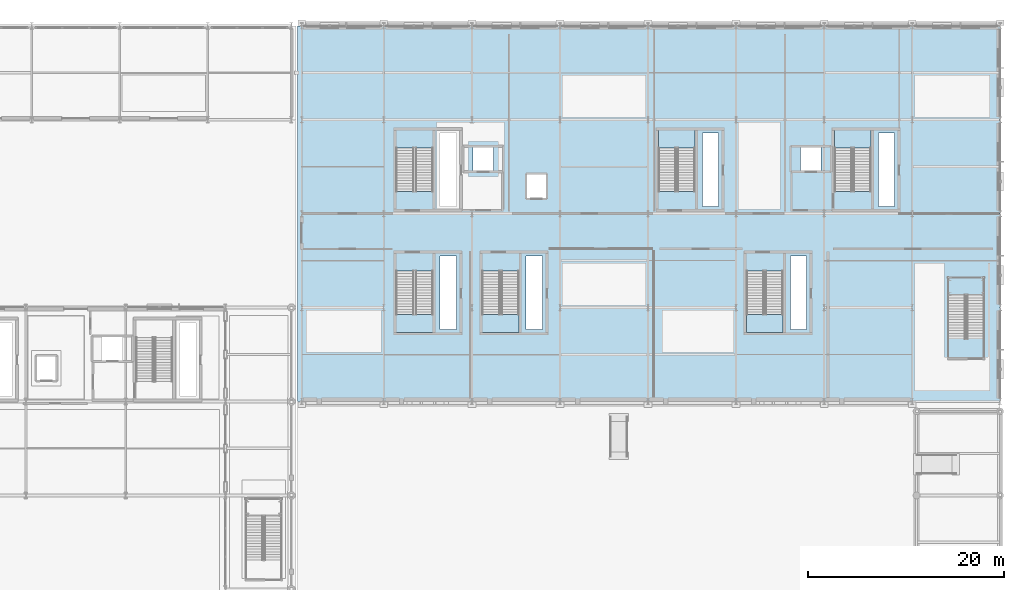
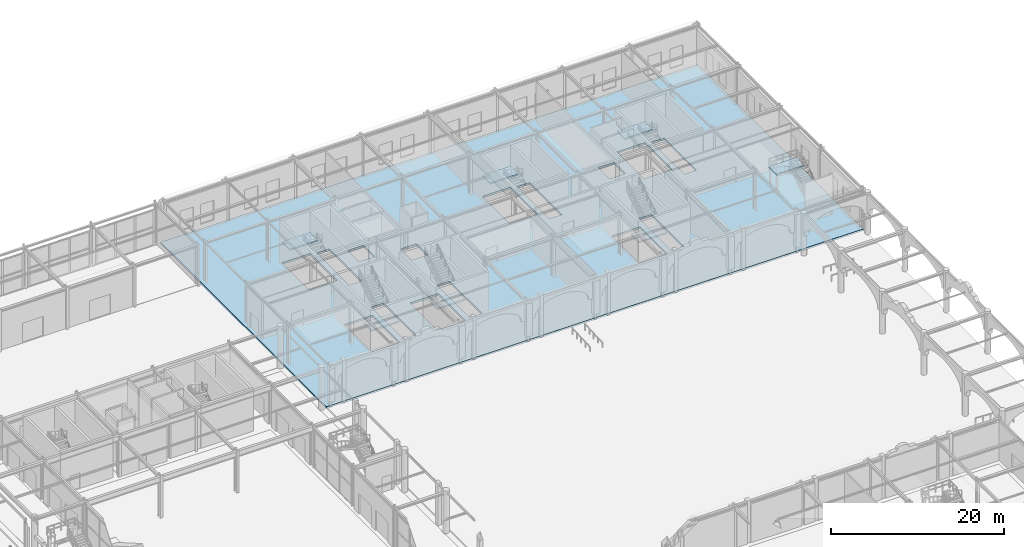
# One storey, part 51 of 113: 8 slabs, 7 elements without a shape of their own.
"""IFC4 building model written with IfcOpenShell, lengths in metres."""

from ifc_helpers import new_model, si_unit, direction, frame, origin, place, context, subcontext, project, spatial, polyline, outline, extrude, material, layer, layer_set, type_object, element, aggregate, save


model = new_model("IFC4")

# Units and contexts
model_context = context("Model", 3, precision=1e-05, world=origin(), true_north=direction((0.0, 1.0)))
body_context = subcontext(model_context, "Body", "Model", "MODEL_VIEW")
ifc_project = project(units=[si_unit("LENGTHUNIT", "METRE"), si_unit("AREAUNIT", "SQUARE_METRE"), si_unit("VOLUMEUNIT", "CUBIC_METRE"), si_unit("PLANEANGLEUNIT", "RADIAN"), si_unit("MASSUNIT", "GRAM", prefix="KILO")], contexts=[model_context])

# Site, building, storey
site_placement = place(None, origin())
site = spatial("IfcSite", under=ifc_project, at=site_placement, CompositionType="ELEMENT")
building_placement = place(site_placement, origin())
building = spatial("IfcBuilding", under=site, at=building_placement, Name="Myrtia Square Station", CompositionType="ELEMENT")
storey_placement = place(building_placement, origin())
storey = spatial("IfcBuildingStorey", under=building, at=storey_placement, Name="L00", CompositionType="ELEMENT", Elevation=0.0)

# Stair, slab
ifc_material = material(Name="Concrete C35/45", Category="concrete")
stair_type_1 = type_object("IfcStairType", Name="STR-02-34R-1800W", PredefinedType="HALF_TURN_STAIR", material=ifc_material)
stair_1_placement = place(storey_placement, origin())
stair_1 = element("IfcStair", 1, at=stair_1_placement, inside=storey, type_object=stair_type_1, Name="L00 Core escape stair ST07", PredefinedType="HALF_TURN_STAIR")
ifc_layer_1 = layer(ifc_material, 0.199951171875, Name="Concrete C35/45")
ifc_layer_set_1 = layer_set([ifc_layer_1], Name="Concrete C35/45")
slab_type_1 = type_object("IfcSlabType", Name="SLB-LAND-200", PredefinedType="LANDING", material=ifc_layer_set_1)
slab_1_placement = place(storey_placement, frame((0.0, 0.0, 2.800048828125)))
slab_1 = element("IfcSlab", 2, at=slab_1_placement, type_object=slab_type_1, Name="ST07 landing 1", PredefinedType="LANDING", context=body_context, shape_type="SweptSolid", body=[
    extrude(outline(polyline([(131.010009765625, 112.330078125), (131.010009765625, 114.14990234375), (127.25, 114.14990234375), (127.25, 112.330078125), (131.010009765625, 112.330078125)])), origin(), (0.0, 0.0, 1.0), 0.199951171875),
])
aggregate(stair_1, [slab_1])

stair_2_placement = place(storey_placement, origin())
stair_2 = element("IfcStair", 3, at=stair_2_placement, inside=storey, type_object=stair_type_1, Name="L00 Core escape stair ST08", PredefinedType="HALF_TURN_STAIR")
slab_2_placement = place(storey_placement, frame((0.0, 0.0, 2.800048828125)))
slab_2 = element("IfcSlab", 4, at=slab_2_placement, type_object=slab_type_1, Name="ST08 landing 1", PredefinedType="LANDING", context=body_context, shape_type="SweptSolid", body=[
    extrude(outline(polyline([(175.81005859375, 112.330078125), (175.81005859375, 114.14990234375), (172.050048828125, 114.14990234375), (172.050048828125, 112.330078125), (175.81005859375, 112.330078125)])), origin(), (0.0, 0.0, 1.0), 0.199951171875),
])
aggregate(stair_2, [slab_2])

stair_3_placement = place(storey_placement, origin())
stair_3 = element("IfcStair", 5, at=stair_3_placement, inside=storey, type_object=stair_type_1, Name="L00 Core escape stair ST12", PredefinedType="HALF_TURN_STAIR")
slab_3_placement = place(storey_placement, frame((0.0, 0.0, 2.800048828125)))
slab_3 = element("IfcSlab", 6, at=slab_3_placement, type_object=slab_type_1, Name="ST12 landing 1", PredefinedType="LANDING", context=body_context, shape_type="SweptSolid", body=[
    extrude(outline(polyline([(127.25, 95.27001953125), (127.25, 93.449951171875), (131.010009765625, 93.449951171875), (131.010009765625, 95.27001953125), (127.25, 95.27001953125)])), origin(), (0.0, 0.0, 1.0), 0.199951171875),
])
aggregate(stair_3, [slab_3])

stair_4_placement = place(storey_placement, origin())
stair_4 = element("IfcStair", 7, at=stair_4_placement, inside=storey, type_object=stair_type_1, Name="L00 Core escape stair ST13", PredefinedType="HALF_TURN_STAIR")
slab_4_placement = place(storey_placement, frame((0.0, 0.0, 2.800048828125)))
slab_4 = element("IfcSlab", 8, at=slab_4_placement, type_object=slab_type_1, Name="ST13 landing 1", PredefinedType="LANDING", context=body_context, shape_type="SweptSolid", body=[
    extrude(outline(polyline([(136.050048828125, 95.27001953125), (136.050048828125, 93.449951171875), (139.81005859375, 93.449951171875), (139.81005859375, 95.27001953125), (136.050048828125, 95.27001953125)])), origin(), (0.0, 0.0, 1.0), 0.199951171875),
])
aggregate(stair_4, [slab_4])

stair_5_placement = place(storey_placement, origin())
stair_5 = element("IfcStair", 9, at=stair_5_placement, inside=storey, type_object=stair_type_1, Name="L00 Core escape stair ST15", PredefinedType="HALF_TURN_STAIR")
slab_5_placement = place(storey_placement, frame((0.0, 0.0, 2.800048828125)))
slab_5 = element("IfcSlab", 10, at=slab_5_placement, type_object=slab_type_1, Name="ST15 landing 1", PredefinedType="LANDING", context=body_context, shape_type="SweptSolid", body=[
    extrude(outline(polyline([(157.81005859375, 112.330078125), (157.81005859375, 114.14990234375), (154.050048828125, 114.14990234375), (154.050048828125, 112.330078125), (157.81005859375, 112.330078125)])), origin(), (0.0, 0.0, 1.0), 0.199951171875),
])
aggregate(stair_5, [slab_5])

stair_6_placement = place(storey_placement, origin())
stair_6 = element("IfcStair", 11, at=stair_6_placement, inside=storey, type_object=stair_type_1, Name="L00 Core escape stair ST16", PredefinedType="HALF_TURN_STAIR")
slab_6_placement = place(storey_placement, frame((0.0, 0.0, 2.800048828125)))
slab_6 = element("IfcSlab", 12, at=slab_6_placement, type_object=slab_type_1, Name="ST16 landing 1", PredefinedType="LANDING", context=body_context, shape_type="SweptSolid", body=[
    extrude(outline(polyline([(163.050048828125, 95.27001953125), (163.050048828125, 93.449951171875), (166.81005859375, 93.449951171875), (166.81005859375, 95.27001953125), (163.050048828125, 95.27001953125)])), origin(), (0.0, 0.0, 1.0), 0.199951171875),
])
aggregate(stair_6, [slab_6])

stair_type_2 = type_object("IfcStairType", Name="STR-06-34R-1800W", PredefinedType="TWO_STRAIGHT_RUN_STAIR", material=ifc_material)
stair_7_placement = place(storey_placement, origin())
stair_7 = element("IfcStair", 13, at=stair_7_placement, inside=storey, type_object=stair_type_2, Name="L00 Platform interchange stair ST72", PredefinedType="TWO_STRAIGHT_RUN_STAIR")
ifc_layer_2 = layer(ifc_material, 0.25, Name="Concrete C35/45")
ifc_layer_set_2 = layer_set([ifc_layer_2], Name="Concrete C35/45")
slab_type_2 = type_object("IfcSlabType", Name="SLB-LAND-250", PredefinedType="LANDING", material=ifc_layer_set_2)
slab_7_placement = place(storey_placement, frame((0.0, 0.0, 2.800048828125)))
slab_7 = element("IfcSlab", 14, at=slab_7_placement, type_object=slab_type_2, Name="ST72 landing 1", PredefinedType="LANDING", context=body_context, shape_type="SweptSolid", body=[
    extrude(outline(polyline([(187.39990234375, 97.280029296875), (187.39990234375, 99.10009765625), (183.639892578125, 99.10009765625), (183.639892578125, 97.280029296875), (187.39990234375, 97.280029296875)])), origin(), (0.0, 0.0, 1.0), 0.199951171875),
])
aggregate(stair_7, [slab_7])

# Slab
ifc_layer_3 = layer(ifc_material, 0.27001953125, Name="Concrete C35/45")
ifc_layer_set_3 = layer_set([ifc_layer_3], Name="Concrete C35/45")
slab_type_3 = type_object("IfcSlabType", Name="SLB-RET-270", PredefinedType="FLOOR", material=ifc_layer_set_3)
slab_8_placement = place(storey_placement, frame((0.0, 0.0, -0.27001953125)))
element("IfcSlab", 15, at=slab_8_placement, inside=storey, type_object=slab_type_3, Name="Structural floor slab SLB-L00-V5E", PredefinedType="FLOOR", context=body_context, shape_type="SweptSolid", body=[
    extrude(outline(polyline([(117.14990234375, 86.39990234375), (189.0, 86.39990234375), (189.0, 124.800048828125), (117.14990234375, 124.800048828125), (117.14990234375, 86.39990234375)]), holes=[polyline([(131.75, 106.35009765625), (131.75, 113.85009765625), (133.39990234375, 113.85009765625), (133.39990234375, 106.35009765625), (131.75, 106.35009765625)]), polyline([(176.550048828125, 106.35009765625), (176.550048828125, 113.85009765625), (178.199951171875, 113.85009765625), (178.199951171875, 106.35009765625), (176.550048828125, 106.35009765625)]), polyline([(131.75, 93.75), (131.75, 101.25), (133.39990234375, 101.25), (133.39990234375, 93.75), (131.75, 93.75)]), polyline([(140.550048828125, 93.75), (140.550048828125, 101.25), (142.199951171875, 101.25), (142.199951171875, 93.75), (140.550048828125, 93.75)]), polyline([(158.550048828125, 106.35009765625), (158.550048828125, 113.85009765625), (160.199951171875, 113.85009765625), (160.199951171875, 106.35009765625), (158.550048828125, 106.35009765625)]), polyline([(167.550048828125, 93.75), (167.550048828125, 101.25), (169.199951171875, 101.25), (169.199951171875, 93.75), (167.550048828125, 93.75)]), polyline([(127.25, 107.8798828125), (127.25, 114.14990234375), (131.010009765625, 114.14990234375), (131.010009765625, 107.8798828125), (127.25, 107.8798828125)]), polyline([(172.050048828125, 107.8798828125), (172.050048828125, 114.14990234375), (175.81005859375, 114.14990234375), (175.81005859375, 107.8798828125), (172.050048828125, 107.8798828125)]), polyline([(127.25, 93.449951171875), (127.25, 99.719970703125), (131.010009765625, 99.719970703125), (131.010009765625, 93.449951171875), (127.25, 93.449951171875)]), polyline([(136.050048828125, 93.449951171875), (136.050048828125, 99.719970703125), (139.81005859375, 99.719970703125), (139.81005859375, 93.449951171875), (136.050048828125, 93.449951171875)]), polyline([(154.050048828125, 107.8798828125), (154.050048828125, 114.14990234375), (157.81005859375, 114.14990234375), (157.81005859375, 107.8798828125), (154.050048828125, 107.8798828125)]), polyline([(163.050048828125, 93.449951171875), (163.050048828125, 99.719970703125), (166.81005859375, 99.719970703125), (166.81005859375, 93.449951171875), (163.050048828125, 93.449951171875)]), polyline([(140.550048828125, 107.10009765625), (140.550048828125, 109.699951171875), (142.64990234375, 109.699951171875), (142.64990234375, 107.10009765625), (140.550048828125, 107.10009765625)]), polyline([(135.10009765625, 109.889892578125), (135.10009765625, 112.489990234375), (137.199951171875, 112.489990234375), (137.199951171875, 109.889892578125), (135.10009765625, 109.889892578125)]), polyline([(168.60009765625, 109.889892578125), (168.60009765625, 112.489990234375), (170.699951171875, 112.489990234375), (170.699951171875, 109.889892578125), (168.60009765625, 109.889892578125)])]), origin(), (0.0, 0.0, 1.0), 0.27001953125),
])

save(model, "model.ifc")
